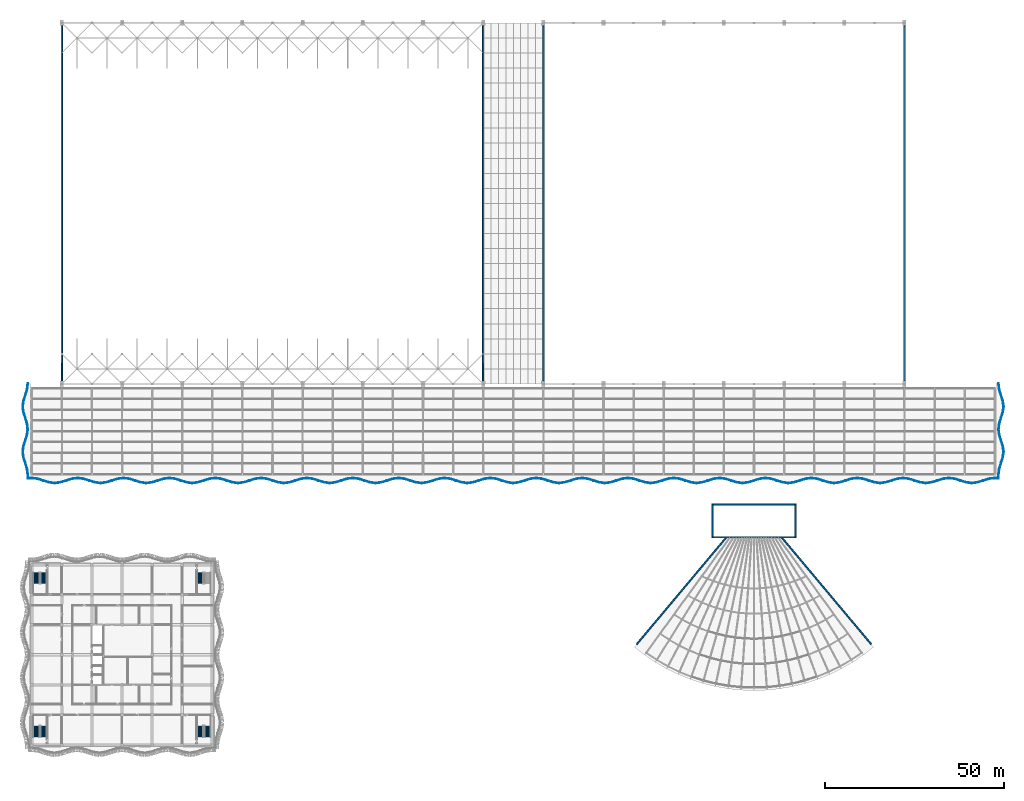
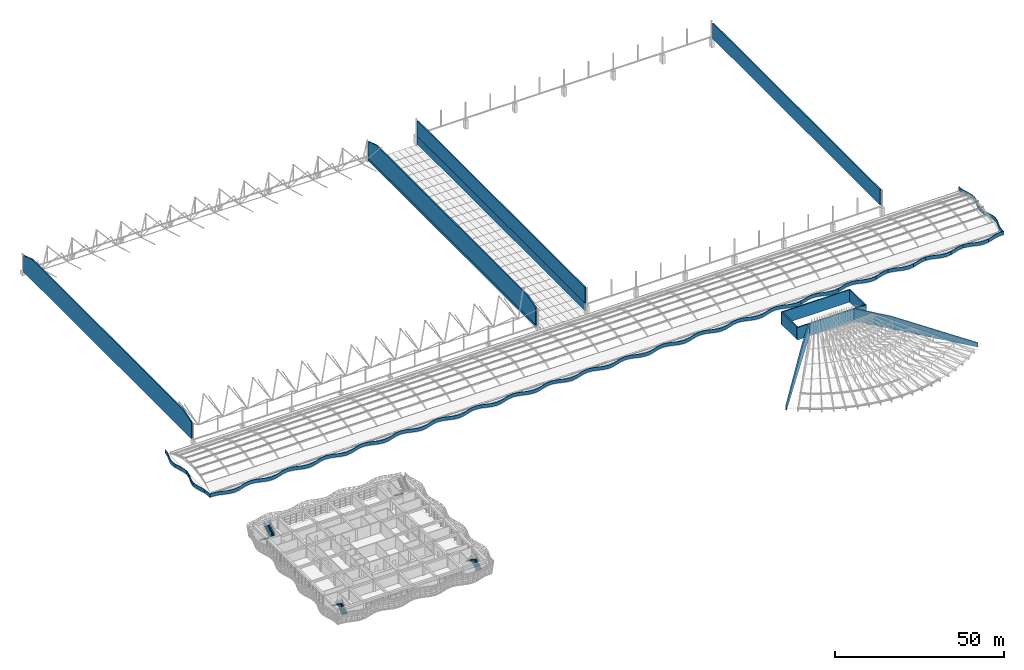
# One storey, part 113 of 163: 15 walls, 7 stair flights, 4 elements without a shape of their own.
"""IFC4 building model written with IfcOpenShell, lengths in metres."""

from ifc_helpers import new_model, si_unit, direction, frame, frame_2d, origin, place, context, subcontext, project, spatial, polyline, rectangle, outline, extrude, material, layer, layer_set, type_object, element, aggregate, save


model = new_model("IFC4")

# Units and contexts
model_context = context("Model", 3, precision=1e-05, world=origin(), true_north=direction((0.0, 1.0)))
body_context = subcontext(model_context, "Body", "Model", "MODEL_VIEW")
ifc_project = project(units=[si_unit("LENGTHUNIT", "METRE"), si_unit("AREAUNIT", "SQUARE_METRE"), si_unit("VOLUMEUNIT", "CUBIC_METRE"), si_unit("PLANEANGLEUNIT", "RADIAN"), si_unit("MASSUNIT", "GRAM", prefix="KILO")], contexts=[model_context])

# Site, building, storey
site_placement = place(None, origin())
site = spatial("IfcSite", under=ifc_project, at=site_placement, CompositionType="ELEMENT")
building_placement = place(site_placement, origin())
building = spatial("IfcBuilding", under=site, at=building_placement, Name="Rain Tree Exposition and Congress Centre", CompositionType="ELEMENT")
storey_placement = place(building_placement, frame((0.0, 0.0, 10.5)))
storey = spatial("IfcBuildingStorey", under=building, at=storey_placement, Name="L02", CompositionType="ELEMENT", Elevation=10.5)

# Walls
ifc_material_1 = material(Name="Concrete C40/50", Category="concrete")
ifc_layer_1 = layer(ifc_material_1, 0.39990234375)
ifc_layer_set_1 = layer_set([ifc_layer_1], Name="Concrete C40/50")
wall_type_1 = type_object("IfcWallType", Name="Acoustic wall 400", PredefinedType="SHEAR", material=ifc_layer_set_1)
wall_1_placement = place(storey_placement, frame((193.886474609375, 58.007568359375, 0.0), z_axis=(0.0, 0.0, 1.0), x_axis=(-0.642781866374, -0.766049262293, 0.0)))
element("IfcWall", 1, at=wall_1_placement, inside=storey, type_object=wall_type_1, Name="Gable wall W L02", PredefinedType="SHEAR", context=body_context, shape_type="SweptSolid", body=[
    extrude(outline(polyline([(0.0, 0.0), (38.949951171875, 0.0), (38.949951171875, 1.418212890625), (11.5556640625, 4.5), (0.0, 4.5), (0.0, 0.0)])), frame((0.0, 0.199951171875, 0.0), z_axis=(0.0, -1.0, 0.0), x_axis=(1.0, 0.0, 0.0)), (0.0, 0.0, 1.0), 0.39990234375),
])
wall_2_placement = place(storey_placement, frame((209.3134765625, 58.007568359375, 0.0), z_axis=(0.0, 0.0, 1.0), x_axis=(0.642785544639, -0.766046175895, 0.0)))
element("IfcWall", 2, at=wall_2_placement, inside=storey, type_object=wall_type_1, Name="Gable wall E L02", PredefinedType="SHEAR", context=body_context, shape_type="SweptSolid", body=[
    extrude(outline(polyline([(0.0, 0.0), (38.9501953125, 0.0), (38.949951171875, 1.418212890625), (11.5556640625, 4.5), (0.0, 4.5), (0.0, 0.0)])), frame((0.0, 0.199951171875, 0.0), z_axis=(0.0, -1.0, 0.0), x_axis=(1.0, 0.0, 0.0)), (0.0, 0.0, 1.0), 0.39990234375),
])
wall_3_placement = place(storey_placement, frame((189.800048828125, 58.010009765625, 0.0), z_axis=(0.0, 0.0, 1.0), x_axis=(1.0, 0.0, 0.0)))
element("IfcWall", 3, at=wall_3_placement, inside=storey, type_object=wall_type_1, Name="Stage wall", PredefinedType="SHEAR", context=body_context, shape_type="SweptSolid", body=[
    extrude(rectangle(XDim=23.599853515625, YDim=0.39990234375, at=frame_2d((11.7998046875, 0.0))), origin(), (0.0, 0.0, 1.0), 4.5),
])
for number, where, z_axis, x_axis, name in (
    (4, (190.0, 67.199951171875, 0.0), (0.0, 0.0, 1.0), (0.0, -1.0, 0.0), "Stage house west wall"),
    (5, (213.199951171875, 58.2099609375, 0.0), (0.0, 0.0, 1.0), (0.0, 1.0, 0.0), "Stage house east wall"),
):
    element("IfcWall", number, at=place(storey_placement, frame(where, z_axis=z_axis, x_axis=x_axis)), inside=storey, type_object=wall_type_1, Name=name, PredefinedType="SHEAR", context=body_context, shape_type="SweptSolid", body=[
        extrude(rectangle(XDim=8.989990234375, YDim=0.39990234375, at=frame_2d((4.4951171875, 0.0))), origin(), (0.0, 0.0, 1.0), 4.5),
    ])
wall_4_placement = place(storey_placement, frame((213.39990234375, 67.199951171875, 0.0), z_axis=(0.0, 0.0, 1.0), x_axis=(-1.0, 0.0, 0.0)))
element("IfcWall", 6, at=wall_4_placement, inside=storey, type_object=wall_type_1, Name="Stage house north wall", PredefinedType="SHEAR", context=body_context, shape_type="SweptSolid", body=[
    extrude(rectangle(XDim=23.599853515625, YDim=0.39990234375, at=frame_2d((11.7998046875, 0.0))), origin(), (0.0, 0.0, 1.0), 4.5),
])
ifc_material_2 = material(Name="Precast concrete C50/60", Category="concrete")
ifc_layer_2 = layer(ifc_material_2, 0.39990234375)
ifc_layer_set_2 = layer_set([ifc_layer_2], Name="Precast concrete C50/60")
wall_type_2 = type_object("IfcWallType", Name="Hall gable precast wall 400", PredefinedType="SHEAR", material=ifc_layer_set_2)
wall_5_placement = place(storey_placement, frame((8.39990234375, 101.60009765625, 1.39990234375), z_axis=(0.0, 0.0, 1.0), x_axis=(0.0, 1.0, 0.0)))
element("IfcWall", 7, at=wall_5_placement, inside=storey, type_object=wall_type_2, Name="Gable upper wall", PredefinedType="SHEAR", context=body_context, shape_type="SweptSolid", body=[
    extrude(outline(polyline([(0.0, 0.0), (99.199951171875, 0.0), (99.199951171875, 6.039306640625), (94.189697265625, 7.60009765625), (91.60009765625, 7.60009765625), (83.199951171875, 7.60009765625), (74.800048828125, 7.60009765625), (66.39990234375, 7.60009765625), (58.0, 7.60009765625), (49.60009765625, 7.60009765625), (41.199951171875, 7.60009765625), (32.800048828125, 7.60009765625), (24.39990234375, 7.60009765625), (16.0, 7.60009765625), (7.60009765625, 7.60009765625), (5.010498046875, 7.60009765625), (0.0, 6.039306640625), (0.0, 0.0)])), frame((0.0, 0.199951171875, 0.0), z_axis=(0.0, -1.0, 0.0), x_axis=(1.0, 0.0, 0.0)), (0.0, 0.0, 1.0), 0.39990234375),
])
wall_6_placement = place(storey_placement, frame((126.0, 101.60009765625, 0.5), z_axis=(0.0, 0.0, 1.0), x_axis=(0.0, 1.0, 0.0)))
element("IfcWall", 8, at=wall_6_placement, inside=storey, type_object=wall_type_2, Name="Gable wall E", PredefinedType="SHEAR", context=body_context, shape_type="SweptSolid", body=[
    extrude(rectangle(XDim=99.199951171875, YDim=0.39990234375, at=frame_2d((49.60009765625, 0.0))), origin(), (0.0, 0.0, 1.0), 0.89990234375),
])
wall_7_placement = place(storey_placement, frame((126.0, 101.60009765625, 1.39990234375), z_axis=(0.0, 0.0, 1.0), x_axis=(0.0, 1.0, 0.0)))
element("IfcWall", 9, at=wall_7_placement, inside=storey, type_object=wall_type_2, Name="Gable upper wall", PredefinedType="SHEAR", context=body_context, shape_type="SweptSolid", body=[
    extrude(outline(polyline([(0.0, 0.0), (99.199951171875, 0.0), (99.199951171875, 6.039306640625), (94.189697265625, 7.60009765625), (91.60009765625, 7.60009765625), (83.199951171875, 7.60009765625), (74.800048828125, 7.60009765625), (66.39990234375, 7.60009765625), (58.0, 7.60009765625), (49.60009765625, 7.60009765625), (41.199951171875, 7.60009765625), (32.800048828125, 7.60009765625), (24.39990234375, 7.60009765625), (16.0, 7.60009765625), (7.60009765625, 7.60009765625), (5.010498046875, 7.60009765625), (0.0, 6.039306640625), (0.0, 0.0)])), frame((0.0, 0.199951171875, 0.0), z_axis=(0.0, -1.0, 0.0), x_axis=(1.0, 0.0, 0.0)), (0.0, 0.0, 1.0), 0.39990234375),
])
wall_8_placement = place(storey_placement, frame((142.800048828125, 101.60009765625, 0.5), z_axis=(0.0, 0.0, 1.0), x_axis=(0.0, 1.0, 0.0)))
element("IfcWall", 10, at=wall_8_placement, inside=storey, type_object=wall_type_2, Name="Gable wall W", PredefinedType="SHEAR", context=body_context, shape_type="SweptSolid", body=[
    extrude(rectangle(XDim=99.199951171875, YDim=0.39990234375, at=frame_2d((49.60009765625, 0.0))), origin(), (0.0, 0.0, 1.0), 2.89990234375),
])
for number, where, z_axis, x_axis, name in (
    (11, (142.800048828125, 101.60009765625, 3.39990234375), (0.0, 0.0, 1.0), (0.0, 1.0, 0.0), "Gable upper wall"),
    (12, (243.60009765625, 101.60009765625, 3.39990234375), (0.0, 0.0, 1.0), (0.0, 1.0, 0.0), "Gable upper wall"),
):
    element("IfcWall", number, at=place(storey_placement, frame(where, z_axis=z_axis, x_axis=x_axis)), inside=storey, type_object=wall_type_2, Name=name, PredefinedType="SHEAR", context=body_context, shape_type="SweptSolid", body=[
        extrude(outline(polyline([(0.0, 0.0), (99.199951171875, 0.0), (99.199951171875, 5.60009765625), (91.60009765625, 5.60009765625), (83.199951171875, 5.60009765625), (74.800048828125, 5.60009765625), (66.39990234375, 5.60009765625), (58.0, 5.60009765625), (49.60009765625, 5.60009765625), (41.199951171875, 5.60009765625), (32.800048828125, 5.60009765625), (24.39990234375, 5.60009765625), (16.0, 5.60009765625), (7.60009765625, 5.60009765625), (0.0, 5.60009765625), (0.0, 0.0)])), frame((0.0, 0.199951171875, 0.0), z_axis=(0.0, -1.0, 0.0), x_axis=(1.0, 0.0, 0.0)), (0.0, 0.0, 1.0), 0.39990234375),
    ])
ifc_material_3 = material(Name="Concrete C40/50", Category="concrete")
ifc_layer_3 = layer(ifc_material_3, 0.199951171875)
ifc_layer_set_3 = layer_set([ifc_layer_3], Name="Concrete C40/50")
wall_type_3 = type_object("IfcWallType", Name="Wave parapet band 200", PredefinedType="PARAPET", material=ifc_layer_set_3)
wall_9_placement = place(storey_placement, origin())
element("IfcWall", 13, at=wall_9_placement, inside=storey, type_object=wall_type_3, Name="concourse/band/L02/01", PredefinedType="PARAPET", context=body_context, shape_type="SweptSolid", body=[
    extrude(outline(polyline([(0.0126953125, 74.6123046875), (-0.987548828125, 74.6123046875), (-1.1875, 74.412353515625), (0.0, 74.412353515625), (1.60009765625, 74.20751953125), (3.199951171875, 73.71240234375), (4.800048828125, 73.21728515625), (6.39990234375, 73.012451171875), (8.0, 73.21728515625), (9.60009765625, 73.71240234375), (11.199951171875, 74.20751953125), (12.800048828125, 74.412353515625), (14.39990234375, 74.20751953125), (16.0, 73.71240234375), (17.60009765625, 73.21728515625), (19.199951171875, 73.012451171875), (20.800048828125, 73.21728515625), (22.39990234375, 73.71240234375), (24.0, 74.20751953125), (25.60009765625, 74.412353515625), (27.199951171875, 74.20751953125), (28.800048828125, 73.71240234375), (30.39990234375, 73.21728515625), (32.0, 73.012451171875), (33.60009765625, 73.21728515625), (35.199951171875, 73.71240234375), (36.800048828125, 74.20751953125), (38.39990234375, 74.412353515625), (40.0, 74.20751953125), (41.60009765625, 73.71240234375), (43.199951171875, 73.21728515625), (44.800048828125, 73.012451171875), (46.39990234375, 73.21728515625), (48.0, 73.71240234375), (49.60009765625, 74.20751953125), (51.199951171875, 74.412353515625), (52.800048828125, 74.20751953125), (54.39990234375, 73.71240234375), (56.0, 73.21728515625), (57.60009765625, 73.012451171875), (59.199951171875, 73.21728515625), (60.800048828125, 73.71240234375), (62.39990234375, 74.20751953125), (64.0, 74.412353515625), (65.60009765625, 74.20751953125), (67.199951171875, 73.71240234375), (68.800048828125, 73.21728515625), (70.39990234375, 73.012451171875), (72.0, 73.21728515625), (73.60009765625, 73.71240234375), (75.199951171875, 74.20751953125), (76.800048828125, 74.412353515625), (78.39990234375, 74.20751953125), (80.0, 73.71240234375), (81.60009765625, 73.21728515625), (83.199951171875, 73.012451171875), (84.800048828125, 73.21728515625), (86.39990234375, 73.71240234375), (88.0, 74.20751953125), (89.60009765625, 74.412353515625), (91.199951171875, 74.20751953125), (92.800048828125, 73.71240234375), (94.39990234375, 73.21728515625), (96.0, 73.012451171875), (97.60009765625, 73.21728515625), (99.199951171875, 73.71240234375), (100.800048828125, 74.20751953125), (102.39990234375, 74.412353515625), (104.0, 74.20751953125), (105.60009765625, 73.71240234375), (107.199951171875, 73.21728515625), (108.800048828125, 73.012451171875), (110.39990234375, 73.21728515625), (112.0, 73.71240234375), (113.60009765625, 74.20751953125), (115.199951171875, 74.412353515625), (116.800048828125, 74.20751953125), (118.39990234375, 73.71240234375), (120.0, 73.21728515625), (121.60009765625, 73.012451171875), (123.199951171875, 73.21728515625), (124.800048828125, 73.71240234375), (126.39990234375, 74.20751953125), (128.0, 74.412353515625), (129.60009765625, 74.20751953125), (131.199951171875, 73.71240234375), (132.800048828125, 73.21728515625), (134.39990234375, 73.012451171875), (136.0, 73.21728515625), (137.60009765625, 73.71240234375), (139.199951171875, 74.20751953125), (140.800048828125, 74.412353515625), (142.39990234375, 74.20751953125), (144.0, 73.71240234375), (145.60009765625, 73.21728515625), (147.199951171875, 73.012451171875), (148.800048828125, 73.21728515625), (150.39990234375, 73.71240234375), (152.0, 74.20751953125), (153.60009765625, 74.412353515625), (155.199951171875, 74.20751953125), (156.800048828125, 73.71240234375), (158.39990234375, 73.21728515625), (160.0, 73.012451171875), (161.60009765625, 73.21728515625), (163.199951171875, 73.71240234375), (164.800048828125, 74.20751953125), (166.39990234375, 74.412353515625), (168.0, 74.20751953125), (169.60009765625, 73.71240234375), (171.199951171875, 73.21728515625), (172.800048828125, 73.012451171875), (174.39990234375, 73.21728515625), (176.0, 73.71240234375), (177.60009765625, 74.20751953125), (179.199951171875, 74.412353515625), (180.800048828125, 74.20751953125), (182.39990234375, 73.71240234375), (184.0, 73.21728515625), (185.60009765625, 73.012451171875), (187.199951171875, 73.21728515625), (188.800048828125, 73.71240234375), (190.39990234375, 74.20751953125), (192.0, 74.412353515625), (193.60009765625, 74.20751953125), (195.199951171875, 73.71240234375), (196.800048828125, 73.21728515625), (198.39990234375, 73.012451171875), (200.0, 73.21728515625), (201.60009765625, 73.71240234375), (203.199951171875, 74.20751953125), (204.800048828125, 74.412353515625), (206.39990234375, 74.20751953125), (208.0, 73.71240234375), (209.60009765625, 73.21728515625), (211.199951171875, 73.012451171875), (212.800048828125, 73.21728515625), (214.39990234375, 73.71240234375), (216.0, 74.20751953125), (217.60009765625, 74.412353515625), (219.199951171875, 74.20751953125), (220.800048828125, 73.71240234375), (222.39990234375, 73.21728515625), (224.0, 73.012451171875), (225.60009765625, 73.21728515625), (227.199951171875, 73.71240234375), (228.800048828125, 74.20751953125), (230.39990234375, 74.412353515625), (232.0, 74.20751953125), (233.60009765625, 73.71240234375), (235.199951171875, 73.21728515625), (236.800048828125, 73.012451171875), (238.39990234375, 73.21728515625), (240.0, 73.71240234375), (241.60009765625, 74.20751953125), (243.199951171875, 74.412353515625), (244.800048828125, 74.20751953125), (246.39990234375, 73.71240234375), (248.0, 73.21728515625), (249.60009765625, 73.012451171875), (251.199951171875, 73.21728515625), (252.800048828125, 73.71240234375), (254.39990234375, 74.20751953125), (256.0, 74.412353515625), (257.60009765625, 74.20751953125), (259.199951171875, 73.71240234375), (260.800048828125, 73.21728515625), (262.39990234375, 73.012451171875), (264.0, 73.21728515625), (265.60009765625, 73.71240234375), (267.199951171875, 74.20751953125), (268.800048828125, 74.412353515625), (269.987548828125, 74.412353515625), (269.987548828125, 74.412353515625), (269.78759765625, 74.6123046875), (268.787109375, 74.6123046875), (267.157470703125, 74.403564453125), (265.541015625, 73.903564453125), (263.95751953125, 73.41357421875), (262.39990234375, 73.214111328125), (260.842529296875, 73.41357421875), (259.259033203125, 73.903564453125), (257.642578125, 74.403564453125), (256.0, 74.614013671875), (254.357421875, 74.403564453125), (252.740966796875, 73.903564453125), (251.157470703125, 73.41357421875), (249.60009765625, 73.214111328125), (248.04248046875, 73.41357421875), (244.842529296875, 74.403564453125), (243.199951171875, 74.614013671875), (241.557373046875, 74.403564453125), (238.357421875, 73.41357421875), (236.800048828125, 73.214111328125), (235.24267578125, 73.41357421875), (232.04248046875, 74.403564453125), (230.39990234375, 74.614013671875), (228.75732421875, 74.403564453125), (227.140869140625, 73.903564453125), (225.557373046875, 73.41357421875), (224.0, 73.214111328125), (222.442626953125, 73.41357421875), (220.859130859375, 73.903564453125), (219.24267578125, 74.403564453125), (217.60009765625, 74.614013671875), (215.95751953125, 74.403564453125), (212.75732421875, 73.41357421875), (211.199951171875, 73.214111328125), (209.642578125, 73.41357421875), (206.442626953125, 74.403564453125), (204.800048828125, 74.614013671875), (203.157470703125, 74.403564453125), (199.95751953125, 73.41357421875), (198.39990234375, 73.214111328125), (196.842529296875, 73.41357421875), (195.259033203125, 73.903564453125), (193.642578125, 74.403564453125), (192.0, 74.614013671875), (190.357421875, 74.403564453125), (188.740966796875, 73.903564453125), (187.157470703125, 73.41357421875), (185.60009765625, 73.214111328125), (184.04248046875, 73.41357421875), (180.842529296875, 74.403564453125), (179.199951171875, 74.614013671875), (177.557373046875, 74.403564453125), (174.357421875, 73.41357421875), (172.800048828125, 73.214111328125), (171.24267578125, 73.41357421875), (168.04248046875, 74.403564453125), (166.39990234375, 74.614013671875), (164.75732421875, 74.403564453125), (163.140869140625, 73.903564453125), (161.557373046875, 73.41357421875), (160.0, 73.214111328125), (158.442626953125, 73.41357421875), (156.859130859375, 73.903564453125), (155.24267578125, 74.403564453125), (153.60009765625, 74.614013671875), (151.95751953125, 74.403564453125), (148.75732421875, 73.41357421875), (147.199951171875, 73.214111328125), (145.642578125, 73.41357421875), (142.442626953125, 74.403564453125), (140.800048828125, 74.614013671875), (139.157470703125, 74.403564453125), (135.95751953125, 73.41357421875), (134.39990234375, 73.214111328125), (132.842529296875, 73.41357421875), (131.259033203125, 73.903564453125), (129.642578125, 74.403564453125), (128.0, 74.614013671875), (126.357421875, 74.403564453125), (124.740966796875, 73.903564453125), (123.157470703125, 73.41357421875), (121.60009765625, 73.214111328125), (120.04248046875, 73.41357421875), (118.458984375, 73.903564453125), (116.842529296875, 74.403564453125), (115.199951171875, 74.614013671875), (113.557373046875, 74.403564453125), (110.357421875, 73.41357421875), (108.800048828125, 73.214111328125), (107.24267578125, 73.41357421875), (105.6591796875, 73.903564453125), (104.04248046875, 74.403564453125), (102.39990234375, 74.614013671875), (100.75732421875, 74.403564453125), (99.140869140625, 73.903564453125), (97.557373046875, 73.41357421875), (96.0, 73.214111328125), (94.442626953125, 73.41357421875), (92.859130859375, 73.903564453125), (91.24267578125, 74.403564453125), (89.60009765625, 74.614013671875), (87.95751953125, 74.403564453125), (86.3408203125, 73.903564453125), (84.75732421875, 73.41357421875), (83.199951171875, 73.214111328125), (81.642578125, 73.41357421875), (78.442626953125, 74.403564453125), (76.800048828125, 74.614013671875), (75.157470703125, 74.403564453125), (73.541015625, 73.903564453125), (71.95751953125, 73.41357421875), (70.39990234375, 73.214111328125), (68.842529296875, 73.41357421875), (67.259033203125, 73.903564453125), (65.642578125, 74.403564453125), (64.0, 74.614013671875), (62.357421875, 74.403564453125), (60.740966796875, 73.903564453125), (59.157470703125, 73.41357421875), (57.60009765625, 73.214111328125), (56.04248046875, 73.41357421875), (52.842529296875, 74.403564453125), (51.199951171875, 74.614013671875), (49.557373046875, 74.403564453125), (46.357421875, 73.41357421875), (44.800048828125, 73.214111328125), (43.24267578125, 73.41357421875), (40.04248046875, 74.403564453125), (38.39990234375, 74.614013671875), (36.75732421875, 74.403564453125), (35.140869140625, 73.903564453125), (33.557373046875, 73.41357421875), (32.0, 73.214111328125), (30.442626953125, 73.41357421875), (28.859130859375, 73.903564453125), (27.24267578125, 74.403564453125), (25.60009765625, 74.614013671875), (23.95751953125, 74.403564453125), (22.3408203125, 73.903564453125), (20.75732421875, 73.41357421875), (19.199951171875, 73.214111328125), (17.642578125, 73.41357421875), (16.05908203125, 73.903564453125), (14.442626953125, 74.403564453125), (12.800048828125, 74.614013671875), (11.157470703125, 74.403564453125), (7.95751953125, 73.41357421875), (6.39990234375, 73.214111328125), (4.842529296875, 73.41357421875), (3.259033203125, 73.903564453125), (1.642578125, 74.403564453125), (0.0126953125, 74.6123046875)])), origin(), (0.0, 0.0, 1.0), 1.199951171875),
])
wall_10_placement = place(storey_placement, origin())
element("IfcWall", 14, at=wall_10_placement, inside=storey, type_object=wall_type_3, Name="concourse/band/L02/02", PredefinedType="PARAPET", context=body_context, shape_type="SweptSolid", body=[
    extrude(outline(polyline([(269.78759765625, 75.613037109375), (269.78759765625, 74.6123046875), (269.987548828125, 74.412353515625), (269.987548828125, 75.60009765625), (270.192626953125, 77.175048828125), (270.6875, 78.75), (271.1826171875, 80.324951171875), (271.3876953125, 81.89990234375), (271.1826171875, 83.47509765625), (270.6875, 85.050048828125), (270.192626953125, 86.625), (269.987548828125, 88.199951171875), (270.192626953125, 89.77490234375), (270.6875, 91.35009765625), (271.1826171875, 92.925048828125), (271.3876953125, 94.5), (271.1826171875, 96.074951171875), (270.6875, 97.64990234375), (270.192626953125, 99.22509765625), (269.987548828125, 100.800048828125), (269.987548828125, 101.0), (269.78759765625, 101.0), (269.78759765625, 100.787109375), (269.99658203125, 99.181884765625), (270.496826171875, 97.590087890625), (270.986572265625, 96.03173828125), (271.185791015625, 94.5), (270.986572265625, 92.96826171875), (270.496826171875, 91.409912109375), (269.99658203125, 89.818115234375), (269.785888671875, 88.199951171875), (269.99658203125, 86.581787109375), (270.496826171875, 84.989990234375), (270.986572265625, 83.431884765625), (271.185791015625, 81.89990234375), (270.986572265625, 80.3681640625), (270.496826171875, 78.81005859375), (269.99658203125, 77.21826171875), (269.78759765625, 75.613037109375)])), origin(), (0.0, 0.0, 1.0), 1.199951171875),
])
wall_11_placement = place(storey_placement, origin())
element("IfcWall", 15, at=wall_11_placement, inside=storey, type_object=wall_type_3, Name="concourse/band/L02/03", PredefinedType="PARAPET", context=body_context, shape_type="SweptSolid", body=[
    extrude(outline(polyline([(-1.392578125, 77.175048828125), (-1.1875, 75.60009765625), (-1.1875, 74.412353515625), (-1.1875, 74.412353515625), (-0.987548828125, 74.6123046875), (-0.987548828125, 74.6123046875), (-0.987548828125, 75.613037109375), (-1.196533203125, 77.21826171875), (-1.69677734375, 78.81005859375), (-2.1865234375, 80.3681640625), (-2.385986328125, 81.89990234375), (-2.1865234375, 83.431884765625), (-1.69677734375, 84.989990234375), (-1.196533203125, 86.581787109375), (-0.98583984375, 88.199951171875), (-1.196533203125, 89.818115234375), (-1.69677734375, 91.409912109375), (-2.1865234375, 92.96826171875), (-2.385986328125, 94.5), (-2.1865234375, 96.03173828125), (-1.69677734375, 97.590087890625), (-1.196533203125, 99.181884765625), (-0.987548828125, 100.787109375), (-0.987548828125, 101.0), (-1.1875, 101.0), (-1.1875, 100.800048828125), (-1.392578125, 99.22509765625), (-1.8876953125, 97.64990234375), (-2.382568359375, 96.074951171875), (-2.587646484375, 94.5), (-2.382568359375, 92.925048828125), (-1.8876953125, 91.35009765625), (-1.392578125, 89.77490234375), (-1.1875, 88.199951171875), (-1.392578125, 86.625), (-1.8876953125, 85.050048828125), (-2.382568359375, 83.47509765625), (-2.587646484375, 81.89990234375), (-2.382568359375, 80.324951171875), (-1.8876953125, 78.75), (-1.392578125, 77.175048828125)])), origin(), (0.0, 0.0, 1.0), 1.199951171875),
])

# Stair, stair flights
ifc_material_4 = material(Name="Precast concrete C50/60", Category="concrete")
stair_type = type_object("IfcStairType", Name="Wing dog-leg stair 1850", PredefinedType="HALF_TURN_STAIR", material=ifc_material_4)
stair_1_placement = place(storey_placement, origin())
stair_1 = element("IfcStair", 16, at=stair_1_placement, inside=storey, type_object=stair_type, Name="L02 ST-W1", PredefinedType="HALF_TURN_STAIR")
ifc_material_5 = material(Name="Precast concrete C50/60", Category="concrete")
stair_flight_type = type_object("IfcStairFlightType", Name="Wing stair flight 1850", PredefinedType="STRAIGHT", material=ifc_material_5)
stair_flight_1_placement = place(storey_placement, frame((3.324951171875, 2.25, 0.0), z_axis=(0.0, 0.0, 1.0), x_axis=(0.0, 1.0, 0.0)))
stair_flight_1 = element("IfcStairFlight", 17, at=stair_flight_1_placement, type_object=stair_flight_type, Name="ST-W1 flight 1", NumberOfRisers=12, NumberOfTreads=11, PredefinedType="STRAIGHT", RiserHeight=0.1875, TreadLength=0.28, context=body_context, shape_type="SweptSolid", body=[
    extrude(outline(polyline([(0.0, 0.0), (0.0, 0.1875), (0.280029296875, 0.1875), (0.280029296875, 0.375), (0.56005859375, 0.375), (0.56005859375, 0.5625), (0.840087890625, 0.5625), (0.840087890625, 0.75), (1.1201171875, 0.75), (1.1201171875, 0.9375), (1.39990234375, 0.9375), (1.39990234375, 1.125), (1.679931640625, 1.125), (1.679931640625, 1.3125), (1.9599609375, 1.3125), (1.9599609375, 1.5), (2.239990234375, 1.5), (2.239990234375, 1.6875), (2.52001953125, 1.6875), (2.52001953125, 1.875), (2.800048828125, 1.875), (2.800048828125, 2.0625), (3.080078125, 2.0625), (3.080078125, 2.25), (3.080078125, 1.882080078125), (0.26953125, 0.0), (0.0, 0.0)])), frame((0.0, 0.925048828125, 0.0), z_axis=(0.0, -1.0, 0.0), x_axis=(1.0, 0.0, 0.0)), (0.0, 0.0, 1.0), 1.85009765625),
])
stair_flight_2_placement = place(storey_placement, frame((1.324951171875, 5.330078125, 2.25), z_axis=(0.0, 0.0, 1.0), x_axis=(0.0, -1.0, 0.0)))
stair_flight_2 = element("IfcStairFlight", 18, at=stair_flight_2_placement, type_object=stair_flight_type, Name="ST-W1 flight 2", NumberOfRisers=12, NumberOfTreads=11, PredefinedType="STRAIGHT", RiserHeight=0.1875, TreadLength=0.28, context=body_context, shape_type="SweptSolid", body=[
    extrude(outline(polyline([(0.0, 0.0), (0.0, 0.1875), (0.280029296875, 0.1875), (0.280029296875, 0.375), (0.56005859375, 0.375), (0.56005859375, 0.5625), (0.840087890625, 0.5625), (0.840087890625, 0.75), (1.1201171875, 0.75), (1.1201171875, 0.9375), (1.39990234375, 0.9375), (1.39990234375, 1.125), (1.679931640625, 1.125), (1.679931640625, 1.3125), (1.9599609375, 1.3125), (1.9599609375, 1.5), (2.239990234375, 1.5), (2.239990234375, 1.6875), (2.52001953125, 1.6875), (2.52001953125, 1.875), (2.800048828125, 1.875), (2.800048828125, 2.0625), (3.080078125, 2.0625), (3.080078125, 2.25), (3.080078125, 1.882080078125), (0.26953125, 0.0), (0.0, 0.0)])), frame((0.0, 0.925048828125, 0.0), z_axis=(0.0, -1.0, 0.0), x_axis=(1.0, 0.0, 0.0)), (0.0, 0.0, 1.0), 1.85009765625),
])
aggregate(stair_1, [stair_flight_1, stair_flight_2])

stair_2_placement = place(storey_placement, origin())
stair_2 = element("IfcStair", 19, at=stair_2_placement, inside=storey, type_object=stair_type, Name="L02 ST-W2", PredefinedType="HALF_TURN_STAIR")
stair_flight_3_placement = place(storey_placement, frame((49.074951171875, 2.25, 0.0), z_axis=(0.0, 0.0, 1.0), x_axis=(0.0, 1.0, 0.0)))
stair_flight_3 = element("IfcStairFlight", 20, at=stair_flight_3_placement, type_object=stair_flight_type, Name="ST-W2 flight 1", NumberOfRisers=12, NumberOfTreads=11, PredefinedType="STRAIGHT", RiserHeight=0.1875, TreadLength=0.28, context=body_context, shape_type="SweptSolid", body=[
    extrude(outline(polyline([(0.0, 0.0), (0.0, 0.1875), (0.280029296875, 0.1875), (0.280029296875, 0.375), (0.56005859375, 0.375), (0.56005859375, 0.5625), (0.840087890625, 0.5625), (0.840087890625, 0.75), (1.1201171875, 0.75), (1.1201171875, 0.9375), (1.39990234375, 0.9375), (1.39990234375, 1.125), (1.679931640625, 1.125), (1.679931640625, 1.3125), (1.9599609375, 1.3125), (1.9599609375, 1.5), (2.239990234375, 1.5), (2.239990234375, 1.6875), (2.52001953125, 1.6875), (2.52001953125, 1.875), (2.800048828125, 1.875), (2.800048828125, 2.0625), (3.080078125, 2.0625), (3.080078125, 2.25), (3.080078125, 1.882080078125), (0.26953125, 0.0), (0.0, 0.0)])), frame((0.0, 0.925048828125, 0.0), z_axis=(0.0, -1.0, 0.0), x_axis=(1.0, 0.0, 0.0)), (0.0, 0.0, 1.0), 1.85009765625),
])
stair_flight_4_placement = place(storey_placement, frame((47.074951171875, 5.330078125, 2.25), z_axis=(0.0, 0.0, 1.0), x_axis=(0.0, -1.0, 0.0)))
stair_flight_4 = element("IfcStairFlight", 21, at=stair_flight_4_placement, type_object=stair_flight_type, Name="ST-W2 flight 2", NumberOfRisers=12, NumberOfTreads=11, PredefinedType="STRAIGHT", RiserHeight=0.1875, TreadLength=0.28, context=body_context, shape_type="SweptSolid", body=[
    extrude(outline(polyline([(0.0, 0.0), (0.0, 0.1875), (0.280029296875, 0.1875), (0.280029296875, 0.375), (0.56005859375, 0.375), (0.56005859375, 0.5625), (0.840087890625, 0.5625), (0.840087890625, 0.75), (1.1201171875, 0.75), (1.1201171875, 0.9375), (1.39990234375, 0.9375), (1.39990234375, 1.125), (1.679931640625, 1.125), (1.679931640625, 1.3125), (1.9599609375, 1.3125), (1.9599609375, 1.5), (2.239990234375, 1.5), (2.239990234375, 1.6875), (2.52001953125, 1.6875), (2.52001953125, 1.875), (2.800048828125, 1.875), (2.800048828125, 2.0625), (3.080078125, 2.0625), (3.080078125, 2.25), (3.080078125, 1.882080078125), (0.26953125, 0.0), (0.0, 0.0)])), frame((0.0, 0.925048828125, 0.0), z_axis=(0.0, -1.0, 0.0), x_axis=(1.0, 0.0, 0.0)), (0.0, 0.0, 1.0), 1.85009765625),
])
aggregate(stair_2, [stair_flight_3, stair_flight_4])

stair_3_placement = place(storey_placement, origin())
stair_3 = element("IfcStair", 22, at=stair_3_placement, inside=storey, type_object=stair_type, Name="L02 ST-W3", PredefinedType="HALF_TURN_STAIR")
stair_flight_5_placement = place(storey_placement, frame((1.324951171875, 48.14990234375, 0.0), z_axis=(0.0, 0.0, 1.0), x_axis=(0.0, -1.0, 0.0)))
stair_flight_5 = element("IfcStairFlight", 23, at=stair_flight_5_placement, type_object=stair_flight_type, Name="ST-W3 flight 1", NumberOfRisers=12, NumberOfTreads=11, PredefinedType="STRAIGHT", RiserHeight=0.1875, TreadLength=0.28, context=body_context, shape_type="SweptSolid", body=[
    extrude(outline(polyline([(0.0, 0.0), (0.0, 0.1875), (0.280029296875, 0.1875), (0.280029296875, 0.375), (0.56005859375, 0.375), (0.56005859375, 0.5625), (0.840087890625, 0.5625), (0.840087890625, 0.75), (1.1201171875, 0.75), (1.1201171875, 0.9375), (1.39990234375, 0.9375), (1.39990234375, 1.125), (1.679931640625, 1.125), (1.679931640625, 1.3125), (1.9599609375, 1.3125), (1.9599609375, 1.5), (2.239990234375, 1.5), (2.239990234375, 1.6875), (2.52001953125, 1.6875), (2.52001953125, 1.875), (2.800048828125, 1.875), (2.800048828125, 2.0625), (3.080078125, 2.0625), (3.080078125, 2.25), (3.080078125, 1.882080078125), (0.26953125, 0.0), (0.0, 0.0)])), frame((0.0, 0.925048828125, 0.0), z_axis=(0.0, -1.0, 0.0), x_axis=(1.0, 0.0, 0.0)), (0.0, 0.0, 1.0), 1.85009765625),
])
stair_flight_6_placement = place(storey_placement, frame((3.324951171875, 45.070068359375, 2.25), z_axis=(0.0, 0.0, 1.0), x_axis=(0.0, 1.0, 0.0)))
stair_flight_6 = element("IfcStairFlight", 24, at=stair_flight_6_placement, type_object=stair_flight_type, Name="ST-W3 flight 2", NumberOfRisers=12, NumberOfTreads=11, PredefinedType="STRAIGHT", RiserHeight=0.1875, TreadLength=0.28, context=body_context, shape_type="SweptSolid", body=[
    extrude(outline(polyline([(0.0, 0.0), (0.0, 0.1875), (0.280029296875, 0.1875), (0.280029296875, 0.375), (0.56005859375, 0.375), (0.56005859375, 0.5625), (0.840087890625, 0.5625), (0.840087890625, 0.75), (1.1201171875, 0.75), (1.1201171875, 0.9375), (1.39990234375, 0.9375), (1.39990234375, 1.125), (1.679931640625, 1.125), (1.679931640625, 1.3125), (1.9599609375, 1.3125), (1.9599609375, 1.5), (2.239990234375, 1.5), (2.239990234375, 1.6875), (2.52001953125, 1.6875), (2.52001953125, 1.875), (2.800048828125, 1.875), (2.800048828125, 2.0625), (3.080078125, 2.0625), (3.080078125, 2.25), (3.080078125, 1.882080078125), (0.26953125, 0.0), (0.0, 0.0)])), frame((0.0, 0.925048828125, 0.0), z_axis=(0.0, -1.0, 0.0), x_axis=(1.0, 0.0, 0.0)), (0.0, 0.0, 1.0), 1.85009765625),
])
aggregate(stair_3, [stair_flight_5, stair_flight_6])

# Stair, stair flight
stair_4_placement = place(storey_placement, origin())
stair_4 = element("IfcStair", 25, at=stair_4_placement, inside=storey, type_object=stair_type, Name="L02 ST-W4", PredefinedType="HALF_TURN_STAIR")
stair_flight_7_placement = place(storey_placement, frame((47.074951171875, 48.14990234375, 0.0), z_axis=(0.0, 0.0, 1.0), x_axis=(0.0, -1.0, 0.0)))
stair_flight_7 = element("IfcStairFlight", 26, at=stair_flight_7_placement, type_object=stair_flight_type, Name="ST-W4 flight 1", NumberOfRisers=12, NumberOfTreads=11, PredefinedType="STRAIGHT", RiserHeight=0.1875, TreadLength=0.28, context=body_context, shape_type="SweptSolid", body=[
    extrude(outline(polyline([(0.0, 0.0), (0.0, 0.1875), (0.280029296875, 0.1875), (0.280029296875, 0.375), (0.56005859375, 0.375), (0.56005859375, 0.5625), (0.840087890625, 0.5625), (0.840087890625, 0.75), (1.1201171875, 0.75), (1.1201171875, 0.9375), (1.39990234375, 0.9375), (1.39990234375, 1.125), (1.679931640625, 1.125), (1.679931640625, 1.3125), (1.9599609375, 1.3125), (1.9599609375, 1.5), (2.239990234375, 1.5), (2.239990234375, 1.6875), (2.52001953125, 1.6875), (2.52001953125, 1.875), (2.800048828125, 1.875), (2.800048828125, 2.0625), (3.080078125, 2.0625), (3.080078125, 2.25), (3.080078125, 1.882080078125), (0.26953125, 0.0), (0.0, 0.0)])), frame((0.0, 0.925048828125, 0.0), z_axis=(0.0, -1.0, 0.0), x_axis=(1.0, 0.0, 0.0)), (0.0, 0.0, 1.0), 1.85009765625),
])
aggregate(stair_4, [stair_flight_7])

save(model, "model.ifc")
